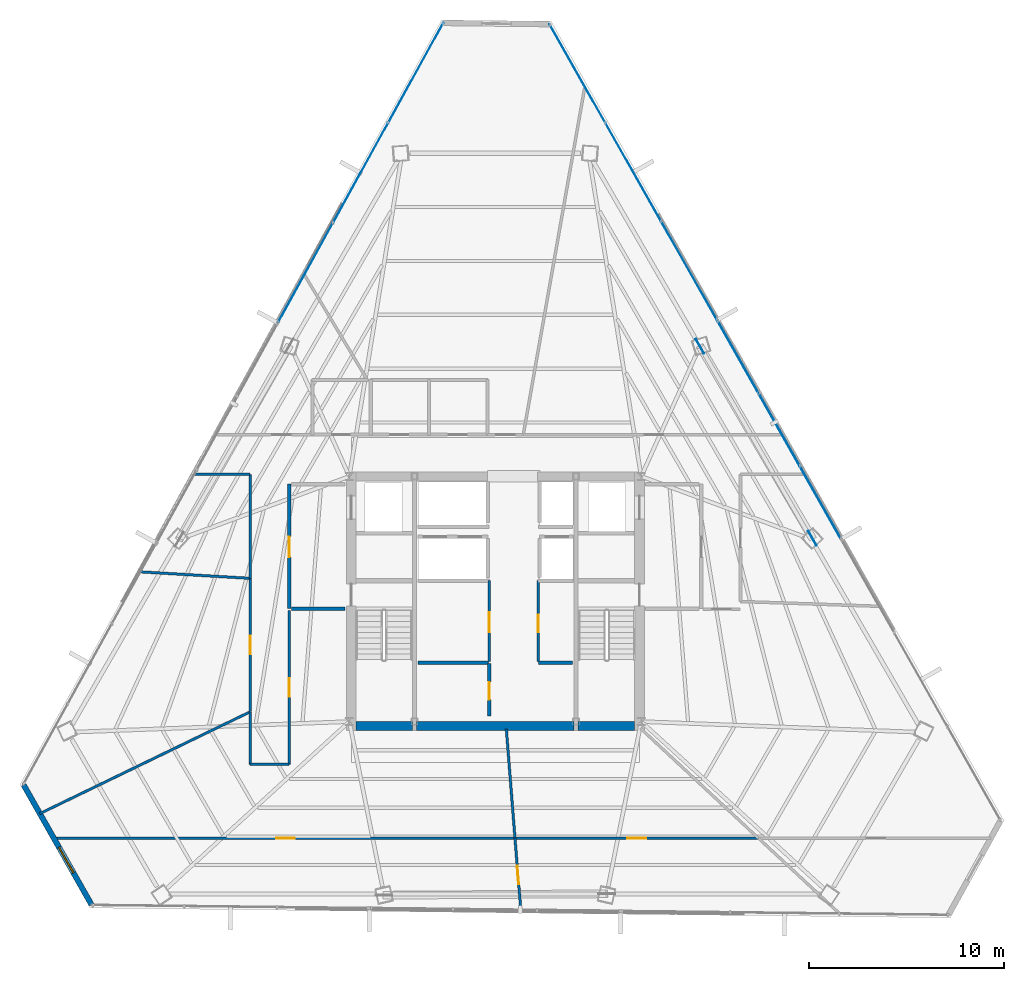
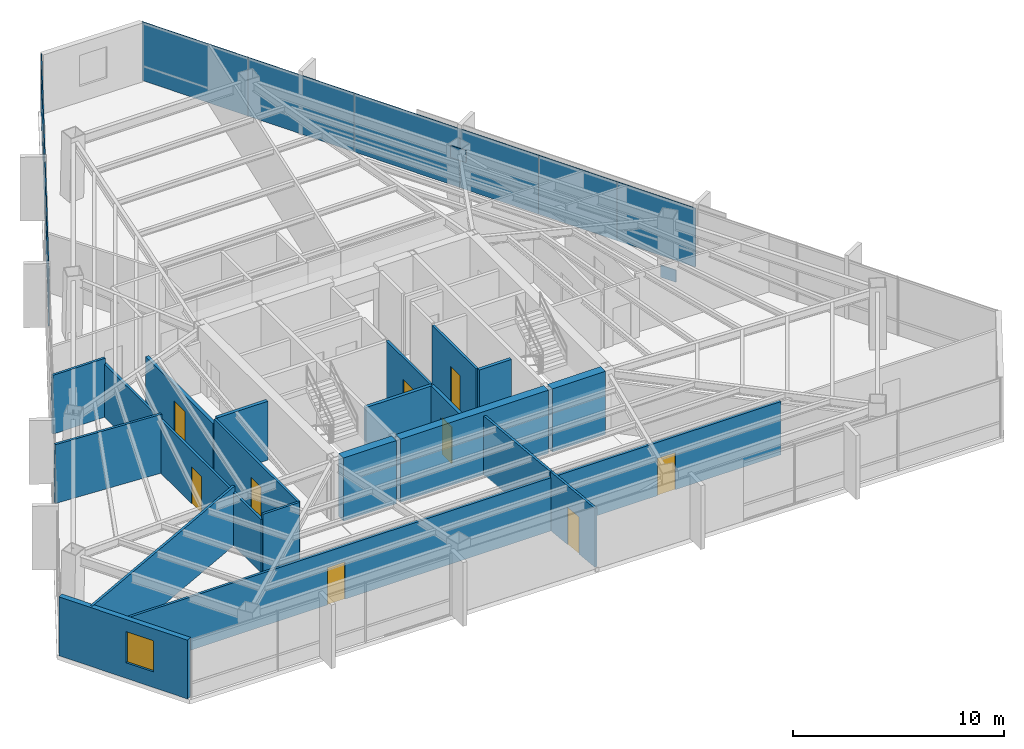
# One storey, part 35 of 40: 23 walls, 11 plates, 9 doors, 1 window, 10 openings, 3 elements without a shape of their own.
"""IFC4 building model written with IfcOpenShell, lengths in metres."""

from ifc_helpers import new_model, si_unit, direction, frame, frame_2d, origin, origin_2d, place, context, subcontext, project, spatial, rectangle, extrude, source, transform, mapped, material, layer, layer_set, type_object, type_shapes, element, fill, aggregate, save


model = new_model("IFC4")

# Units and contexts
model_context = context("Model", 3, precision=1e-05, world=origin(), true_north=direction((0.0, 1.0)))
body_context = subcontext(model_context, "Body", "Model", "MODEL_VIEW")
ifc_project = project(units=[si_unit("LENGTHUNIT", "METRE"), si_unit("AREAUNIT", "SQUARE_METRE"), si_unit("VOLUMEUNIT", "CUBIC_METRE"), si_unit("PLANEANGLEUNIT", "RADIAN"), si_unit("MASSUNIT", "GRAM", prefix="KILO")], contexts=[model_context])

# Site, building, storey
site_placement = place(None, origin())
site = spatial("IfcSite", under=ifc_project, at=site_placement, CompositionType="ELEMENT")
building_placement = place(site_placement, origin())
building = spatial("IfcBuilding", under=site, at=building_placement, Name="Caelisora Broadcast Tower", CompositionType="ELEMENT")
storey_placement = place(building_placement, frame((0.0, 0.0, 213.25)))
storey = spatial("IfcBuildingStorey", under=building, at=storey_placement, Name="L56", CompositionType="ELEMENT", Elevation=213.25)

# Plates
ifc_material_1 = material(Name="Steel Grade 350 L15 (AS/NZS 3678)", Category="steel")
ifc_layer_1 = layer(ifc_material_1, 0.0400390625, Name="Steel Grade 350 L15 (AS/NZS 3678)")
ifc_layer_set_1 = layer_set([ifc_layer_1], Name="Steel Grade 350 L15 (AS/NZS 3678)")
plate_type_1 = type_object("IfcPlateType", Name="GP04", PredefinedType="USERDEFINED", material=ifc_layer_set_1)
shared_shape_1 = source(origin(), body_context, "Body", "SweptSolid", [
    extrude(rectangle(XDim=0.85009765625, YDim=0.0400390625, at=origin_2d()), origin(), (0.0, 0.0, 1.0), 0.699951171875),
])
type_shapes(plate_type_1, [shared_shape_1])
for number, where, z_axis, x_axis, name in (
    (1, (54.298583984375, 26.815673828125, -0.22998046875), (0.0, 0.0, 1.0), (-0.5, 0.866025403784, 0.0), "L56 gusset plate GP04 (ND-L56-C10B)"),
    (2, (48.516845703125, 36.685302734375, 2.72998046875), (0.0, 0.0, 1.0), (-0.5, 0.866025403784, 0.0), "L56 gusset plate GP04 (ND-L56-C11T)"),
):
    element("IfcPlate", number, at=place(storey_placement, frame(where, z_axis=z_axis, x_axis=x_axis)), inside=storey, type_object=plate_type_1, Name=name, ObjectType="GUSSET PLATE", PredefinedType="USERDEFINED", context=body_context, shape_type="MappedRepresentation", body=[
        mapped(shared_shape_1, transform((0.0, 0.0, 0.0), scale=1.0)),
    ])

# Curtain wall, plates
ifc_material_2 = material(Name="Unitised Aluminium and Low-E Glass Curtain Wall", Category="glass")
curtain_wall_type_1 = type_object("IfcCurtainWallType", Name="CW-Z4", PredefinedType="NOTDEFINED", material=ifc_material_2)
curtain_wall_1_placement = place(storey_placement, origin())
curtain_wall_1 = element("IfcCurtainWall", 3, at=curtain_wall_1_placement, inside=storey, type_object=curtain_wall_type_1, Name="L56 curtain wall CW-Z4", PredefinedType="NOTDEFINED")
ifc_material_3 = material(Name="Double Glazed Low-E Argon IGU", Category="glass")
ifc_layer_2 = layer(ifc_material_3, 0.030029296875, Name="Double Glazed Low-E Argon IGU")
ifc_layer_set_2 = layer_set([ifc_layer_2], Name="Double Glazed Low-E Argon IGU")
plate_type_2 = type_object("IfcPlateType", Name="CWP-05", PredefinedType="CURTAIN_PANEL", material=ifc_layer_set_2)
shared_shape_2 = source(origin(), body_context, "Body", "SweptSolid", [
    extrude(rectangle(XDim=5.82568359375, YDim=0.030029296875, at=origin_2d()), origin(), (0.0, 0.0, 1.0), 3.39990234375),
])
plate_1_placement = place(storey_placement, frame((42.219970703125, 50.70654296875, 0.0), z_axis=(0.0, 0.0, 1.0), x_axis=(0.492879209759, -0.870097744272, 0.0)))
plate_1 = element("IfcPlate", 4, at=plate_1_placement, type_object=plate_type_2, Name="L56-CW-B01 glazed panel #1", PredefinedType="CURTAIN_PANEL", context=body_context, shape_type="MappedRepresentation", body=[
    mapped(shared_shape_2, transform((0.0, 0.0, 0.0), scale=1.0)),
])
plate_2_placement = place(storey_placement, frame((45.091796875, 45.637939453125, 0.0), z_axis=(0.0, 0.0, 1.0), x_axis=(0.492879209759, -0.870097744272, 0.0)))
plate_2 = element("IfcPlate", 5, at=plate_2_placement, type_object=plate_type_2, Name="L56-CW-B01 glazed panel #2", PredefinedType="CURTAIN_PANEL", context=body_context, shape_type="MappedRepresentation", body=[
    mapped(shared_shape_2, transform((0.0, 0.0, 0.0), scale=1.0)),
])
plate_3_placement = place(storey_placement, frame((47.96337890625, 40.569091796875, 0.0), z_axis=(0.0, 0.0, 1.0), x_axis=(0.492879209759, -0.870097744272, 0.0)))
plate_3 = element("IfcPlate", 6, at=plate_3_placement, type_object=plate_type_2, Name="L56-CW-B01 glazed panel #3", PredefinedType="CURTAIN_PANEL", context=body_context, shape_type="MappedRepresentation", body=[
    mapped(shared_shape_2, transform((0.0, 0.0, 0.0), scale=1.0)),
])
aggregate(curtain_wall_1, [plate_1, plate_2, plate_3])

ifc_material_4 = material(Name="Unitised Aluminium Insulated Shadow-Box Spandrel Curtain Wall", Category="aluminium")
curtain_wall_type_2 = type_object("IfcCurtainWallType", Name="CW-SP2", PredefinedType="NOTDEFINED", material=ifc_material_4)
curtain_wall_2_placement = place(storey_placement, origin())
curtain_wall_2 = element("IfcCurtainWall", 7, at=curtain_wall_2_placement, inside=storey, type_object=curtain_wall_type_2, Name="L56 curtain wall CW-SP2", PredefinedType="NOTDEFINED")
ifc_material_5 = material(Name="Insulated Terracotta Shadow-Box Spandrel Panel", Category="aluminium")
ifc_layer_3 = layer(ifc_material_5, 0.0439453125, Name="Insulated Terracotta Shadow-Box Spandrel Panel")
ifc_layer_set_3 = layer_set([ifc_layer_3], Name="Insulated Terracotta Shadow-Box Spandrel Panel")
plate_type_3 = type_object("IfcPlateType", Name="CWP-10", PredefinedType="CURTAIN_PANEL", material=ifc_layer_set_3)
shared_shape_3 = source(origin(), body_context, "Body", "SweptSolid", [
    extrude(rectangle(XDim=4.3037109375, YDim=0.0439453125, at=origin_2d()), origin(), (0.0, 0.0, 1.0), 3.39990234375),
])
type_shapes(plate_type_3, [shared_shape_3])
plate_4_placement = place(storey_placement, frame((50.465087890625, 36.15380859375, 0.0), z_axis=(0.0, 0.0, 1.0), x_axis=(0.492879209759, -0.870097744272, 0.0)))
plate_4 = element("IfcPlate", 8, at=plate_4_placement, type_object=plate_type_3, Name="L56-CW-B02 spandrel panel #1", PredefinedType="CURTAIN_PANEL", context=body_context, shape_type="MappedRepresentation", body=[
    mapped(shared_shape_3, transform((0.0, 0.0, 0.0), scale=1.0)),
])
plate_5_placement = place(storey_placement, frame((52.586669921875, 32.4091796875, 0.0), z_axis=(0.0, 0.0, 1.0), x_axis=(0.492879209759, -0.870097744272, 0.0)))
plate_5 = element("IfcPlate", 9, at=plate_5_placement, type_object=plate_type_3, Name="L56-CW-B02 spandrel panel #2", PredefinedType="CURTAIN_PANEL", context=body_context, shape_type="MappedRepresentation", body=[
    mapped(shared_shape_3, transform((0.0, 0.0, 0.0), scale=1.0)),
])
plate_6_placement = place(storey_placement, frame((54.708251953125, 28.664794921875, 0.0), z_axis=(0.0, 0.0, 1.0), x_axis=(0.492879209759, -0.870097744272, 0.0)))
plate_6 = element("IfcPlate", 10, at=plate_6_placement, type_object=plate_type_3, Name="L56-CW-B02 spandrel panel #3", PredefinedType="CURTAIN_PANEL", context=body_context, shape_type="MappedRepresentation", body=[
    mapped(shared_shape_3, transform((0.0, 0.0, 0.0), scale=1.0)),
])
aggregate(curtain_wall_2, [plate_4, plate_5, plate_6])

curtain_wall_3_placement = place(storey_placement, origin())
curtain_wall_3 = element("IfcCurtainWall", 11, at=curtain_wall_3_placement, inside=storey, type_object=curtain_wall_type_1, Name="L56 curtain wall CW-Z4", PredefinedType="NOTDEFINED")
shared_shape_4 = source(origin(), body_context, "Body", "SweptSolid", [
    extrude(rectangle(XDim=5.86669921875, YDim=0.030029296875, at=origin_2d()), origin(), (0.0, 0.0, 1.0), 3.39990234375),
])
type_shapes(plate_type_2, [shared_shape_2, shared_shape_4])
plate_7_placement = place(storey_placement, frame((28.244873046875, 40.460205078125, 0.0), z_axis=(0.0, 0.0, 1.0), x_axis=(0.482976759048, 0.875633171036, 0.0)))
plate_7 = element("IfcPlate", 12, at=plate_7_placement, type_object=plate_type_2, Name="L56-CW-B11 glazed panel #1", PredefinedType="CURTAIN_PANEL", context=body_context, shape_type="MappedRepresentation", body=[
    mapped(shared_shape_4, transform((0.0, 0.0, 0.0), scale=1.0)),
])
plate_8_placement = place(storey_placement, frame((31.078125, 45.597412109375, 0.0), z_axis=(0.0, 0.0, 1.0), x_axis=(0.482976759048, 0.875633171036, 0.0)))
plate_8 = element("IfcPlate", 13, at=plate_8_placement, type_object=plate_type_2, Name="L56-CW-B11 glazed panel #2", PredefinedType="CURTAIN_PANEL", context=body_context, shape_type="MappedRepresentation", body=[
    mapped(shared_shape_4, transform((0.0, 0.0, 0.0), scale=1.0)),
])
plate_9_placement = place(storey_placement, frame((33.911376953125, 50.734375, 0.0), z_axis=(0.0, 0.0, 1.0), x_axis=(0.482976759048, 0.875633171036, 0.0)))
plate_9 = element("IfcPlate", 14, at=plate_9_placement, type_object=plate_type_2, Name="L56-CW-B11 glazed panel #3", PredefinedType="CURTAIN_PANEL", context=body_context, shape_type="MappedRepresentation", body=[
    mapped(shared_shape_4, transform((0.0, 0.0, 0.0), scale=1.0)),
])
aggregate(curtain_wall_3, [plate_7, plate_8, plate_9])

# Walls
ifc_material_6 = material(Name="Concrete 50 MPa (AS 3600 S50)", Category="concrete")
ifc_layer_4 = layer(ifc_material_6, 0.449951171875, Name="Concrete 50 MPa (AS 3600 S50)")
ifc_layer_set_4 = layer_set([ifc_layer_4], Name="Concrete 50 MPa (AS 3600 S50)")
wall_type_1 = type_object("IfcWallType", Name="CW5", PredefinedType="SHEAR", material=ifc_layer_set_4)
wall_1_placement = place(storey_placement, frame((30.840087890625, 17.175048828125, 0.0), z_axis=(0.0, 0.0, 1.0), x_axis=(1.0, 0.0, 0.0)))
element("IfcWall", 15, at=wall_1_placement, inside=storey, type_object=wall_type_1, Name="L56 core shear wall CW5", PredefinedType="SHEAR", context=body_context, shape_type="SweptSolid", body=[
    extrude(rectangle(XDim=2.89990234375, YDim=0.449951171875, at=frame_2d((1.449951171875, 0.0))), origin(), (0.0, 0.0, 1.0), 3.64990234375),
])
wall_2_placement = place(storey_placement, frame((33.9599609375, 17.175048828125, 0.0), z_axis=(0.0, 0.0, 1.0), x_axis=(1.0, 0.0, 0.0)))
element("IfcWall", 16, at=wall_2_placement, inside=storey, type_object=wall_type_1, Name="L56 core shear wall CW5", PredefinedType="SHEAR", context=body_context, shape_type="SweptSolid", body=[
    extrude(rectangle(XDim=8.080078125, YDim=0.449951171875, at=frame_2d((4.0400390625, 0.0))), origin(), (0.0, 0.0, 1.0), 3.64990234375),
])
wall_3_placement = place(storey_placement, frame((42.260009765625, 17.175048828125, 0.0), z_axis=(0.0, 0.0, 1.0), x_axis=(1.0, 0.0, 0.0)))
element("IfcWall", 17, at=wall_3_placement, inside=storey, type_object=wall_type_1, Name="L56 core shear wall CW5", PredefinedType="SHEAR", context=body_context, shape_type="SweptSolid", body=[
    extrude(rectangle(XDim=2.89990234375, YDim=0.449951171875, at=frame_2d((1.449951171875, 0.0))), origin(), (0.0, 0.0, 1.0), 3.64990234375),
])

# Wall, opening, window
ifc_material_7 = material(Name="Insulated Terracotta Spandrel Wall System", Category="masonry")
ifc_layer_5 = layer(ifc_material_7, 0.280029296875, Name="Insulated Terracotta Spandrel Wall System")
ifc_layer_set_5 = layer_set([ifc_layer_5], Name="Insulated Terracotta Spandrel Wall System")
wall_type_2 = type_object("IfcWallType", Name="EW1", PredefinedType="STANDARD", material=ifc_layer_set_5)
wall_4_placement = place(storey_placement, frame((17.2451171875, 7.9951171875, 0.0), z_axis=(0.0, 0.0, 1.0), x_axis=(-0.492951566974, 0.870056752527, 0.0)))
wall_4 = element("IfcWall", 18, at=wall_4_placement, inside=storey, type_object=wall_type_2, Name="L56 exterior envelope wall EW1", PredefinedType="STANDARD", context=body_context, shape_type="SweptSolid", body=[
    extrude(rectangle(XDim=7.068359375, YDim=0.280029296875, at=frame_2d((3.5341796875, 0.0))), origin(), (0.0, 0.0, 1.0), 3.39990234375),
])
opening_1_placement = place(wall_4_placement, frame((1.8798828125, 0.0, 0.89990234375)))
opening_1 = element("IfcOpeningElement", 19, at=opening_1_placement, cuts=wall_4, Name="Opening W02", PredefinedType="OPENING", context=body_context, shape_type="SweptSolid", body=[
    extrude(rectangle(XDim=1.5, YDim=1.800048828125, at=frame_2d((0.75, 0.89990234375))), frame((0.0, 0.152099609375, 0.0), z_axis=(0.0, -1.0, 0.0), x_axis=(1.0, 0.0, 0.0)), (0.0, 0.0, 1.0), 0.303955078125),
])
ifc_material_8 = material(Name="Double Glazed Terracotta-Framed Vision Window", Category="glass")
window_type = type_object("IfcWindowType", Name="W02", PartitioningType="SINGLE_PANEL", PredefinedType="WINDOW", material=ifc_material_8)
window_placement = place(opening_1_placement, origin())
window = element("IfcWindow", 20, at=window_placement, inside=storey, type_object=window_type, Name="L56 window W02 (L56-WN-CH4)", OverallHeight=1.800048828125, OverallWidth=1.5, PartitioningType="SINGLE_PANEL", PredefinedType="WINDOW", context=body_context, shape_type="SweptSolid", body=[
    extrude(rectangle(XDim=1.5, YDim=1.800048828125, at=frame_2d((0.75, 0.89990234375))), frame((0.0, 0.030029296875, 0.0), z_axis=(0.0, -1.0, 0.0), x_axis=(1.0, 0.0, 0.0)), (0.0, 0.0, 1.0), 0.06005859375),
])
fill(opening_1, window)

# Wall, opening, door
ifc_material_9 = material(Name="Fire-Rated Gypsum Shaft and Compartment Wall", Category="gypsum")
ifc_layer_6 = layer(ifc_material_9, 0.179931640625, Name="Fire-Rated Gypsum Shaft and Compartment Wall")
ifc_layer_set_6 = layer_set([ifc_layer_6], Name="Fire-Rated Gypsum Shaft and Compartment Wall")
wall_type_3 = type_object("IfcWallType", Name="PW2", PredefinedType="PARTITIONING", material=ifc_layer_set_6)
wall_5_placement = place(storey_placement, frame((27.419921875, 23.199951171875, 0.0), z_axis=(0.0, 0.0, 1.0), x_axis=(0.0, 1.0, 0.0)))
wall_5 = element("IfcWall", 21, at=wall_5_placement, inside=storey, type_object=wall_type_3, Name="L56 fire compartment wall PW2", PredefinedType="PARTITIONING", context=body_context, shape_type="SweptSolid", body=[
    extrude(rectangle(XDim=6.400146484375, YDim=0.179931640625, at=frame_2d((3.2001953125, 0.0))), origin(), (0.0, 0.0, 1.0), 3.077880859375),
])
opening_2_placement = place(wall_5_placement, frame((2.64990234375, 0.0, 0.0)))
opening_2 = element("IfcOpeningElement", 22, at=opening_2_placement, cuts=wall_5, Name="Opening FD02", PredefinedType="OPENING", context=body_context, shape_type="SweptSolid", body=[
    extrude(rectangle(XDim=1.050048828125, YDim=2.14990234375, at=frame_2d((0.52490234375, 1.074951171875))), frame((0.0, 0.10205078125, 0.0), z_axis=(0.0, -1.0, 0.0), x_axis=(1.0, 0.0, 0.0)), (0.0, 0.0, 1.0), 0.203857421875),
])
ifc_material_10 = material(Name="Single-Leaf Steel Fire Lobby Door", Category="steel")
door_type_1 = type_object("IfcDoorType", Name="FD02", OperationType="NOTDEFINED", PredefinedType="DOOR", material=ifc_material_10)
door_1_placement = place(opening_2_placement, origin())
door_1 = element("IfcDoor", 23, at=door_1_placement, inside=storey, type_object=door_type_1, Name="L56 door FD02 (L56-DR-P01D1)", OperationType="SINGLE_SWING_LEFT", OverallHeight=2.14990234375, OverallWidth=1.050048828125, PredefinedType="DOOR", context=body_context, shape_type="SweptSolid", body=[
    extrude(rectangle(XDim=1.050048828125, YDim=2.14990234375, at=frame_2d((0.52490234375, 1.074951171875))), frame((0.0, 0.02490234375, 0.0), z_axis=(0.0, -1.0, 0.0), x_axis=(1.0, 0.0, 0.0)), (0.0, 0.0, 1.0), 0.050048828125),
])
fill(opening_2, door_1)

# Walls
wall_6_placement = place(storey_placement, frame((27.52001953125, 23.199951171875, 0.0), z_axis=(0.0, 0.0, 1.0), x_axis=(1.0, 0.0, 0.0)))
element("IfcWall", 24, at=wall_6_placement, inside=storey, type_object=wall_type_3, Name="L56 fire compartment wall PW2", PredefinedType="PARTITIONING", context=body_context, shape_type="SweptSolid", body=[
    extrude(rectangle(XDim=2.760009765625, YDim=0.179931640625, at=frame_2d((1.3798828125, 0.0))), origin(), (0.0, 0.0, 1.0), 3.39990234375),
])
wall_7_placement = place(storey_placement, frame((34.02001953125, 20.419921875, 0.0), z_axis=(0.0, 0.0, 1.0), x_axis=(1.0, 0.0, 0.0)))
element("IfcWall", 25, at=wall_7_placement, inside=storey, type_object=wall_type_3, Name="L56 fire compartment wall PW2", PredefinedType="PARTITIONING", context=body_context, shape_type="SweptSolid", body=[
    extrude(rectangle(XDim=3.639892578125, YDim=0.179931640625, at=frame_2d((1.81982421875, 0.0))), origin(), (0.0, 0.0, 1.0), 3.39990234375),
])
wall_8_placement = place(storey_placement, frame((40.219970703125, 20.419921875, 0.0), z_axis=(0.0, 0.0, 1.0), x_axis=(1.0, 0.0, 0.0)))
element("IfcWall", 26, at=wall_8_placement, inside=storey, type_object=wall_type_3, Name="L56 fire compartment wall PW2", PredefinedType="PARTITIONING", context=body_context, shape_type="SweptSolid", body=[
    extrude(rectangle(XDim=1.760009765625, YDim=0.179931640625, at=frame_2d((0.8798828125, 0.0))), origin(), (0.0, 0.0, 1.0), 3.39990234375),
])

# Wall, opening, door
wall_9_placement = place(storey_placement, frame((37.679931640625, 17.679931640625, 0.0), z_axis=(0.0, 0.0, 1.0), x_axis=(0.0, 1.0, 0.0)))
wall_9 = element("IfcWall", 27, at=wall_9_placement, inside=storey, type_object=wall_type_3, Name="L56 fire compartment wall PW2", PredefinedType="PARTITIONING", context=body_context, shape_type="SweptSolid", body=[
    extrude(rectangle(XDim=2.699951171875, YDim=0.179931640625, at=frame_2d((1.35009765625, 0.0))), origin(), (0.0, 0.0, 1.0), 3.39990234375),
])
opening_3_placement = place(wall_9_placement, frame((0.85009765625, 0.0, 0.0)))
opening_3 = element("IfcOpeningElement", 28, at=opening_3_placement, cuts=wall_9, Name="Opening FD03", PredefinedType="OPENING", context=body_context, shape_type="SweptSolid", body=[
    extrude(rectangle(XDim=0.89990234375, YDim=2.10009765625, at=frame_2d((0.449951171875, 1.050048828125))), frame((0.0, 0.10205078125, 0.0), z_axis=(0.0, -1.0, 0.0), x_axis=(1.0, 0.0, 0.0)), (0.0, 0.0, 1.0), 0.203857421875),
])
ifc_material_11 = material(Name="Single-Leaf Steel Riser Fire Access Door", Category="steel")
door_type_2 = type_object("IfcDoorType", Name="FD03", OperationType="NOTDEFINED", PredefinedType="DOOR", material=ifc_material_11)
door_2_placement = place(opening_3_placement, origin())
door_2 = element("IfcDoor", 29, at=door_2_placement, inside=storey, type_object=door_type_2, Name="L56 door FD03 (L56-DR-P13D1)", OperationType="SINGLE_SWING_LEFT", OverallHeight=2.10009765625, OverallWidth=0.89990234375, PredefinedType="DOOR", context=body_context, shape_type="SweptSolid", body=[
    extrude(rectangle(XDim=0.89990234375, YDim=2.10009765625, at=frame_2d((0.449951171875, 1.050048828125))), frame((0.0, 0.02490234375, 0.0), z_axis=(0.0, -1.0, 0.0), x_axis=(1.0, 0.0, 0.0)), (0.0, 0.0, 1.0), 0.050048828125),
])
fill(opening_3, door_2)

ifc_material_12 = material(Name="Acoustic Steel-Stud Plasterboard Partition", Category="gypsum")
ifc_layer_7 = layer(ifc_material_12, 0.1298828125, Name="Acoustic Steel-Stud Plasterboard Partition")
ifc_layer_set_7 = layer_set([ifc_layer_7], Name="Acoustic Steel-Stud Plasterboard Partition")
wall_type_4 = type_object("IfcWallType", Name="PW3", PredefinedType="PARTITIONING", material=ifc_layer_set_7)
wall_10_placement = place(storey_placement, frame((37.679931640625, 20.5, 0.0), z_axis=(0.0, 0.0, 1.0), x_axis=(0.0, 1.0, 0.0)))
wall_10 = element("IfcWall", 30, at=wall_10_placement, inside=storey, type_object=wall_type_4, Name="L56 internal partition PW3", PredefinedType="PARTITIONING", context=body_context, shape_type="SweptSolid", body=[
    extrude(rectangle(XDim=4.139892578125, YDim=0.1298828125, at=frame_2d((2.06982421875, 0.0))), origin(), (0.0, 0.0, 1.0), 3.39990234375),
])
opening_4_placement = place(wall_10_placement, frame((1.5, 0.0, 0.0)))
opening_4 = element("IfcOpeningElement", 31, at=opening_4_placement, cuts=wall_10, Name="Opening D02", PredefinedType="OPENING", context=body_context, shape_type="SweptSolid", body=[
    extrude(rectangle(XDim=1.02001953125, YDim=2.14990234375, at=frame_2d((0.510009765625, 1.074951171875))), frame((0.0, 0.076904296875, 0.0), z_axis=(0.0, -1.0, 0.0), x_axis=(1.0, 0.0, 0.0)), (0.0, 0.0, 1.0), 0.15380859375),
])
ifc_material_13 = material(Name="Solid-Core Timber Archive Suite Door", Category="wood")
door_type_3 = type_object("IfcDoorType", Name="D02", OperationType="NOTDEFINED", PredefinedType="DOOR", material=ifc_material_13)
door_3_placement = place(opening_4_placement, origin())
door_3 = element("IfcDoor", 32, at=door_3_placement, inside=storey, type_object=door_type_3, Name="L56 door D02 (L56-DR-P11D1)", OperationType="SINGLE_SWING_LEFT", OverallHeight=2.14990234375, OverallWidth=1.02001953125, PredefinedType="DOOR", context=body_context, shape_type="SweptSolid", body=[
    extrude(rectangle(XDim=1.02001953125, YDim=2.14990234375, at=frame_2d((0.510009765625, 1.074951171875))), frame((0.0, 0.02490234375, 0.0), z_axis=(0.0, -1.0, 0.0), x_axis=(1.0, 0.0, 0.0)), (0.0, 0.0, 1.0), 0.050048828125),
])
fill(opening_4, door_3)

wall_11_placement = place(storey_placement, frame((40.199951171875, 20.5, 0.0), z_axis=(0.0, 0.0, 1.0), x_axis=(0.0, 1.0, 0.0)))
wall_11 = element("IfcWall", 33, at=wall_11_placement, inside=storey, type_object=wall_type_4, Name="L56 internal partition PW3", PredefinedType="PARTITIONING", context=body_context, shape_type="SweptSolid", body=[
    extrude(rectangle(XDim=4.139892578125, YDim=0.1298828125, at=frame_2d((2.06982421875, 0.0))), origin(), (0.0, 0.0, 1.0), 3.39990234375),
])
opening_5_placement = place(wall_11_placement, frame((1.5, 0.0, 0.0)))
opening_5 = element("IfcOpeningElement", 34, at=opening_5_placement, cuts=wall_11, Name="Opening FD03", PredefinedType="OPENING", context=body_context, shape_type="SweptSolid", body=[
    extrude(rectangle(XDim=0.89990234375, YDim=2.10009765625, at=frame_2d((0.449951171875, 1.050048828125))), frame((0.0, 0.076904296875, 0.0), z_axis=(0.0, -1.0, 0.0), x_axis=(1.0, 0.0, 0.0)), (0.0, 0.0, 1.0), 0.15380859375),
])
door_4_placement = place(opening_5_placement, origin())
door_4 = element("IfcDoor", 35, at=door_4_placement, inside=storey, type_object=door_type_2, Name="L56 door FD03 (L56-DR-P12D1)", OperationType="SINGLE_SWING_RIGHT", OverallHeight=2.10009765625, OverallWidth=0.89990234375, PredefinedType="DOOR", context=body_context, shape_type="SweptSolid", body=[
    extrude(rectangle(XDim=0.89990234375, YDim=2.10009765625, at=frame_2d((0.449951171875, 1.050048828125))), frame((0.0, 0.02490234375, 0.0), z_axis=(0.0, -1.0, 0.0), x_axis=(1.0, 0.0, 0.0)), (0.0, 0.0, 1.0), 0.050048828125),
])
fill(opening_5, door_4)

wall_12_placement = place(storey_placement, frame((15.304443359375, 11.409912109375, 0.0), z_axis=(0.0, 0.0, 1.0), x_axis=(1.0, 0.0, 0.0)))
wall_12 = element("IfcWall", 36, at=wall_12_placement, inside=storey, type_object=wall_type_4, Name="L56 internal partition PW3", PredefinedType="PARTITIONING", context=body_context, shape_type="SweptSolid", body=[
    extrude(rectangle(XDim=23.700439453125, YDim=0.1298828125, at=frame_2d((11.85009765625, 0.0))), origin(), (0.0, 0.0, 1.0), 3.077880859375),
])
opening_6_placement = place(wall_12_placement, frame((11.427978515625, 0.0, 0.0)))
opening_6 = element("IfcOpeningElement", 37, at=opening_6_placement, cuts=wall_12, Name="Opening D01", PredefinedType="OPENING", context=body_context, shape_type="SweptSolid", body=[
    extrude(rectangle(XDim=0.9599609375, YDim=2.14990234375, at=frame_2d((0.47998046875, 1.074951171875))), frame((0.0, 0.076904296875, 0.0), z_axis=(0.0, -1.0, 0.0), x_axis=(1.0, 0.0, 0.0)), (0.0, 0.0, 1.0), 0.15380859375),
])
ifc_material_14 = material(Name="Solid-Core Timber Acoustic Office Door", Category="wood")
door_type_4 = type_object("IfcDoorType", Name="D01", OperationType="NOTDEFINED", PredefinedType="DOOR", material=ifc_material_14)
door_5_placement = place(opening_6_placement, origin())
door_5 = element("IfcDoor", 38, at=door_5_placement, inside=storey, type_object=door_type_4, Name="L56 door D01 (L56-DR-P24D1)", OperationType="SINGLE_SWING_LEFT", OverallHeight=2.14990234375, OverallWidth=0.9599609375, PredefinedType="DOOR", context=body_context, shape_type="SweptSolid", body=[
    extrude(rectangle(XDim=0.9599609375, YDim=2.14990234375, at=frame_2d((0.47998046875, 1.074951171875))), frame((0.0, 0.02490234375, 0.0), z_axis=(0.0, -1.0, 0.0), x_axis=(1.0, 0.0, 0.0)), (0.0, 0.0, 1.0), 0.050048828125),
])
fill(opening_6, door_5)

wall_13_placement = place(storey_placement, frame((39.014892578125, 11.409912109375, 0.0), z_axis=(0.0, 0.0, 1.0), x_axis=(1.0, 0.0, 0.0)))
wall_13 = element("IfcWall", 39, at=wall_13_placement, inside=storey, type_object=wall_type_4, Name="L56 internal partition PW3", PredefinedType="PARTITIONING", context=body_context, shape_type="SweptSolid", body=[
    extrude(rectangle(XDim=12.5, YDim=0.1298828125, at=frame_2d((6.25, 0.0))), origin(), (0.0, 0.0, 1.0), 3.077880859375),
])
opening_7_placement = place(wall_13_placement, frame((5.77001953125, 0.0, 0.0)))
opening_7 = element("IfcOpeningElement", 40, at=opening_7_placement, cuts=wall_13, Name="Opening D01", PredefinedType="OPENING", context=body_context, shape_type="SweptSolid", body=[
    extrude(rectangle(XDim=0.9599609375, YDim=2.14990234375, at=frame_2d((0.47998046875, 1.074951171875))), frame((0.0, 0.076904296875, 0.0), z_axis=(0.0, -1.0, 0.0), x_axis=(1.0, 0.0, 0.0)), (0.0, 0.0, 1.0), 0.15380859375),
])
door_6_placement = place(opening_7_placement, origin())
door_6 = element("IfcDoor", 41, at=door_6_placement, inside=storey, type_object=door_type_4, Name="L56 door D01 (L56-DR-P27D1)", OperationType="SINGLE_SWING_LEFT", OverallHeight=2.14990234375, OverallWidth=0.9599609375, PredefinedType="DOOR", context=body_context, shape_type="SweptSolid", body=[
    extrude(rectangle(XDim=0.9599609375, YDim=2.14990234375, at=frame_2d((0.47998046875, 1.074951171875))), frame((0.0, 0.02490234375, 0.0), z_axis=(0.0, -1.0, 0.0), x_axis=(1.0, 0.0, 0.0)), (0.0, 0.0, 1.0), 0.050048828125),
])
fill(opening_7, door_6)

# Wall
wall_14_placement = place(storey_placement, frame((14.591064453125, 12.669189453125, 0.0), z_axis=(0.0, 0.0, 1.0), x_axis=(0.900125290786, 0.435631106428, 0.0)))
element("IfcWall", 42, at=wall_14_placement, inside=storey, type_object=wall_type_4, Name="L56 internal partition PW3", PredefinedType="PARTITIONING", context=body_context, shape_type="SweptSolid", body=[
    extrude(rectangle(XDim=12.002685546875, YDim=0.1298828125, at=frame_2d((6.00146484375, 0.0))), origin(), (0.0, 0.0, 1.0), 3.39990234375),
])

# Wall, opening, door
wall_15_placement = place(storey_placement, frame((27.39990234375, 15.205078125, 0.0), z_axis=(0.0, 0.0, 1.0), x_axis=(0.0, 1.0, 0.0)))
wall_15 = element("IfcWall", 43, at=wall_15_placement, inside=storey, type_object=wall_type_4, Name="L56 internal partition PW3", PredefinedType="PARTITIONING", context=body_context, shape_type="SweptSolid", body=[
    extrude(rectangle(XDim=7.89990234375, YDim=0.1298828125, at=frame_2d((3.949951171875, 0.0))), origin(), (0.0, 0.0, 1.0), 3.39990234375),
])
opening_8_placement = place(wall_15_placement, frame((3.469970703125, 0.0, 0.0)))
opening_8 = element("IfcOpeningElement", 44, at=opening_8_placement, cuts=wall_15, Name="Opening D01", PredefinedType="OPENING", context=body_context, shape_type="SweptSolid", body=[
    extrude(rectangle(XDim=0.9599609375, YDim=2.14990234375, at=frame_2d((0.47998046875, 1.074951171875))), frame((0.0, 0.076904296875, 0.0), z_axis=(0.0, -1.0, 0.0), x_axis=(1.0, 0.0, 0.0)), (0.0, 0.0, 1.0), 0.15380859375),
])
door_7_placement = place(opening_8_placement, origin())
door_7 = element("IfcDoor", 45, at=door_7_placement, inside=storey, type_object=door_type_4, Name="L56 door D01 (L56-DR-P33D1)", OperationType="SINGLE_SWING_LEFT", OverallHeight=2.14990234375, OverallWidth=0.9599609375, PredefinedType="DOOR", context=body_context, shape_type="SweptSolid", body=[
    extrude(rectangle(XDim=0.9599609375, YDim=2.14990234375, at=frame_2d((0.47998046875, 1.074951171875))), frame((0.0, 0.02490234375, 0.0), z_axis=(0.0, -1.0, 0.0), x_axis=(1.0, 0.0, 0.0)), (0.0, 0.0, 1.0), 0.050048828125),
])
fill(opening_8, door_7)

wall_16_placement = place(storey_placement, frame((25.39990234375, 17.905029296875, 0.0), z_axis=(0.0, 0.0, 1.0), x_axis=(0.0, 1.0, 0.0)))
wall_16 = element("IfcWall", 46, at=wall_16_placement, inside=storey, type_object=wall_type_4, Name="L56 internal partition PW3", PredefinedType="PARTITIONING", context=body_context, shape_type="SweptSolid", body=[
    extrude(rectangle(XDim=6.849853515625, YDim=0.1298828125, at=frame_2d((3.4248046875, 0.0))), origin(), (0.0, 0.0, 1.0), 3.077880859375),
])
opening_9_placement = place(wall_16_placement, frame((2.945068359375, 0.0, 0.0)))
opening_9 = element("IfcOpeningElement", 47, at=opening_9_placement, cuts=wall_16, Name="Opening D01", PredefinedType="OPENING", context=body_context, shape_type="SweptSolid", body=[
    extrude(rectangle(XDim=0.9599609375, YDim=2.14990234375, at=frame_2d((0.47998046875, 1.074951171875))), frame((0.0, 0.076904296875, 0.0), z_axis=(0.0, -1.0, 0.0), x_axis=(1.0, 0.0, 0.0)), (0.0, 0.0, 1.0), 0.15380859375),
])
door_8_placement = place(opening_9_placement, origin())
door_8 = element("IfcDoor", 48, at=door_8_placement, inside=storey, type_object=door_type_4, Name="L56 door D01 (L56-DR-P35D1)", OperationType="SINGLE_SWING_RIGHT", OverallHeight=2.14990234375, OverallWidth=0.9599609375, PredefinedType="DOOR", context=body_context, shape_type="SweptSolid", body=[
    extrude(rectangle(XDim=0.9599609375, YDim=2.14990234375, at=frame_2d((0.47998046875, 1.074951171875))), frame((0.0, 0.02490234375, 0.0), z_axis=(0.0, -1.0, 0.0), x_axis=(1.0, 0.0, 0.0)), (0.0, 0.0, 1.0), 0.050048828125),
])
fill(opening_9, door_8)

# Walls
wall_17_placement = place(storey_placement, frame((19.764404296875, 25.09375, 0.0), z_axis=(0.0, 0.0, 1.0), x_axis=(0.998248004668, -0.059168582681, 0.0)))
element("IfcWall", 49, at=wall_17_placement, inside=storey, type_object=wall_type_4, Name="L56 internal partition PW3", PredefinedType="PARTITIONING", context=body_context, shape_type="SweptSolid", body=[
    extrude(rectangle(XDim=5.640380859375, YDim=0.1298828125, at=frame_2d((2.8203125, 0.0))), origin(), (0.0, 0.0, 1.0), 3.39990234375),
])
wall_18_placement = place(storey_placement, frame((38.56591796875, 17.02490234375, 0.0), z_axis=(0.0, 0.0, 1.0), x_axis=(0.078915791572, -0.996881285731, 0.0)))
element("IfcWall", 50, at=wall_18_placement, inside=storey, type_object=wall_type_4, Name="L56 internal partition PW3", PredefinedType="PARTITIONING", context=body_context, shape_type="SweptSolid", body=[
    extrude(rectangle(XDim=5.62744140625, YDim=0.1298828125, at=frame_2d((2.813720703125, 0.0))), origin(), (0.0, 0.0, 1.0), 3.39990234375),
])
wall_19_placement = place(storey_placement, frame((25.39990234375, 30.094970703125, 0.0), z_axis=(0.0, 0.0, 1.0), x_axis=(0.0, -1.0, 0.0)))
element("IfcWall", 51, at=wall_19_placement, inside=storey, type_object=wall_type_4, Name="L56 internal partition PW3", PredefinedType="PARTITIONING", context=body_context, shape_type="SweptSolid", body=[
    extrude(rectangle(XDim=5.330078125, YDim=0.1298828125, at=frame_2d((2.6650390625, 0.0))), origin(), (0.0, 0.0, 1.0), 3.077880859375),
])

# Wall, opening, door
wall_20_placement = place(storey_placement, frame((39.010009765625, 11.405029296875, 0.0), z_axis=(0.0, 0.0, 1.0), x_axis=(0.081617078643, -0.996663760992, 0.0)))
wall_20 = element("IfcWall", 52, at=wall_20_placement, inside=storey, type_object=wall_type_4, Name="L56 internal partition PW3", PredefinedType="PARTITIONING", context=body_context, shape_type="SweptSolid", body=[
    extrude(rectangle(XDim=3.706298828125, YDim=0.1298828125, at=frame_2d((1.85302734375, 0.0))), origin(), (0.0, 0.0, 1.0), 3.39990234375),
])
opening_10_placement = place(wall_20_placement, frame((1.4189453125, 0.0, 0.0)))
opening_10 = element("IfcOpeningElement", 53, at=opening_10_placement, cuts=wall_20, Name="Opening D01", PredefinedType="OPENING", context=body_context, shape_type="SweptSolid", body=[
    extrude(rectangle(XDim=0.9599609375, YDim=2.14990234375, at=frame_2d((0.47998046875, 1.074951171875))), frame((0.0, 0.076904296875, 0.0), z_axis=(0.0, -1.0, 0.0), x_axis=(1.0, 0.0, 0.0)), (0.0, 0.0, 1.0), 0.15380859375),
])
door_9_placement = place(opening_10_placement, origin())
door_9 = element("IfcDoor", 54, at=door_9_placement, inside=storey, type_object=door_type_4, Name="L56 door D01 (L56-DR-P43D1)", OperationType="SINGLE_SWING_LEFT", OverallHeight=2.14990234375, OverallWidth=0.9599609375, PredefinedType="DOOR", context=body_context, shape_type="SweptSolid", body=[
    extrude(rectangle(XDim=0.9599609375, YDim=2.14990234375, at=frame_2d((0.47998046875, 1.074951171875))), frame((0.0, 0.02490234375, 0.0), z_axis=(0.0, -1.0, 0.0), x_axis=(1.0, 0.0, 0.0)), (0.0, 0.0, 1.0), 0.050048828125),
])
fill(opening_10, door_9)

# Walls
wall_21_placement = place(storey_placement, frame((22.525390625, 30.10009765625, 0.0), z_axis=(0.0, 0.0, 1.0), x_axis=(1.0, 0.0, 0.0)))
element("IfcWall", 55, at=wall_21_placement, inside=storey, type_object=wall_type_4, Name="L56 internal partition PW3", PredefinedType="PARTITIONING", context=body_context, shape_type="SweptSolid", body=[
    extrude(rectangle(XDim=2.86962890625, YDim=0.1298828125, at=frame_2d((1.434814453125, 0.0))), origin(), (0.0, 0.0, 1.0), 3.39990234375),
])
wall_22_placement = place(storey_placement, frame((25.39990234375, 17.89501953125, 0.0), z_axis=(0.0, 0.0, 1.0), x_axis=(0.0, -1.0, 0.0)))
element("IfcWall", 56, at=wall_22_placement, inside=storey, type_object=wall_type_4, Name="L56 internal partition PW3", PredefinedType="PARTITIONING", context=body_context, shape_type="SweptSolid", body=[
    extrude(rectangle(XDim=2.68994140625, YDim=0.1298828125, at=frame_2d((1.344970703125, 0.0))), origin(), (0.0, 0.0, 1.0), 3.077880859375),
])
wall_23_placement = place(storey_placement, frame((25.405029296875, 15.199951171875, 0.0), z_axis=(0.0, 0.0, 1.0), x_axis=(1.0, 0.0, 0.0)))
element("IfcWall", 57, at=wall_23_placement, inside=storey, type_object=wall_type_4, Name="L56 internal partition PW3", PredefinedType="PARTITIONING", context=body_context, shape_type="SweptSolid", body=[
    extrude(rectangle(XDim=1.989990234375, YDim=0.1298828125, at=frame_2d((0.9951171875, 0.0))), origin(), (0.0, 0.0, 1.0), 3.39990234375),
])

save(model, "model.ifc")
